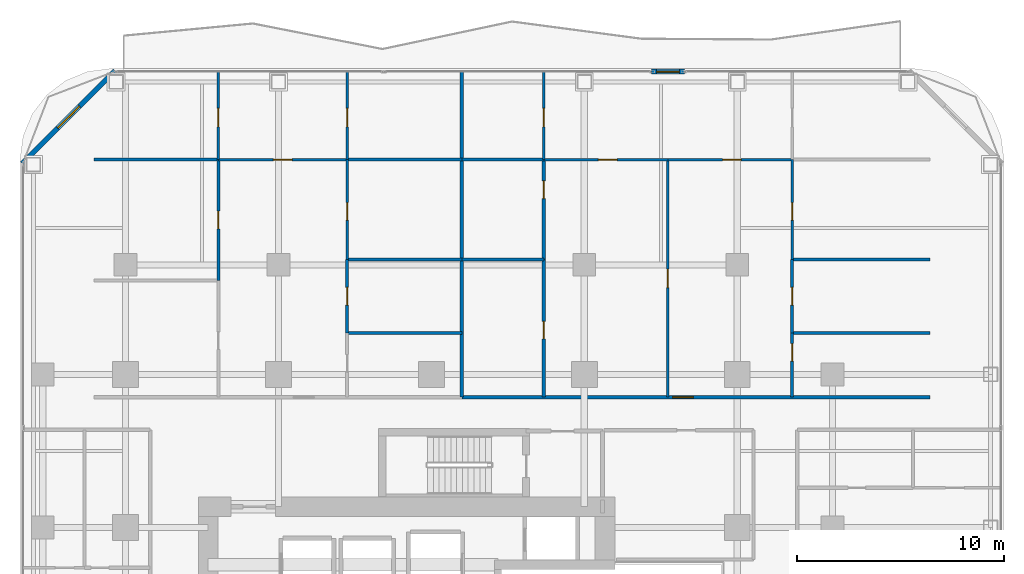
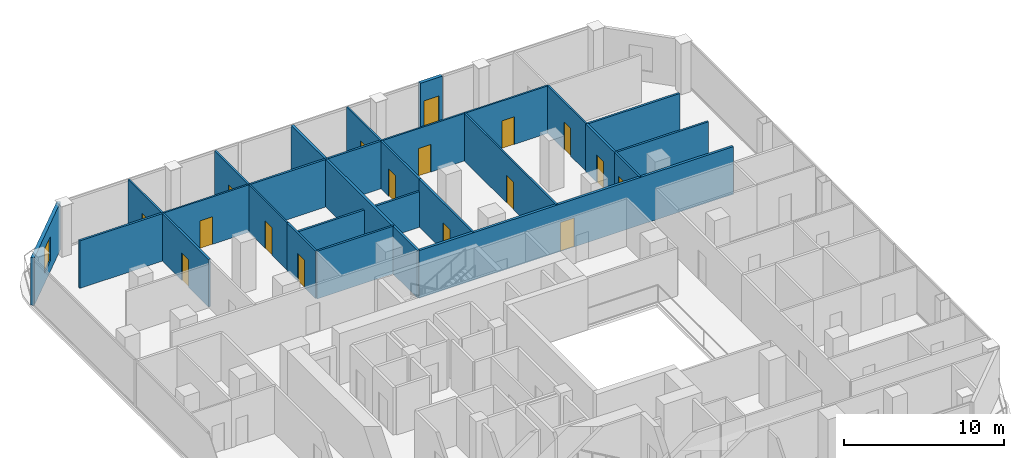
# One storey, part 23 of 27: 27 walls, 17 doors, 1 window, 18 openings.
"""IFC4 building model written with IfcOpenShell, lengths in metres."""

from ifc_helpers import new_model, si_unit, direction, frame, frame_2d, origin, place, context, subcontext, project, spatial, rectangle, extrude, material, layer, layer_set, type_object, element, fill, save


model = new_model("IFC4")

# Units and contexts
model_context = context("Model", 3, precision=1e-05, world=origin(), true_north=direction((0.0, 1.0)))
body_context = subcontext(model_context, "Body", "Model", "MODEL_VIEW")
ifc_project = project(units=[si_unit("LENGTHUNIT", "METRE"), si_unit("AREAUNIT", "SQUARE_METRE"), si_unit("VOLUMEUNIT", "CUBIC_METRE"), si_unit("PLANEANGLEUNIT", "RADIAN"), si_unit("MASSUNIT", "GRAM", prefix="KILO")], contexts=[model_context])

# Site, building, storey
site_placement = place(None, origin())
site = spatial("IfcSite", under=ifc_project, at=site_placement, CompositionType="ELEMENT")
building_placement = place(site_placement, origin())
building = spatial("IfcBuilding", under=site, at=building_placement, Name="Khorvyn Point Tower", CompositionType="ELEMENT")
storey_placement = place(building_placement, frame((0.0, 0.0, 132.89990234375)))
storey = spatial("IfcBuildingStorey", under=building, at=storey_placement, Name="L33", CompositionType="ELEMENT", Elevation=132.89990234375)

# Wall, opening, door
ifc_material_1 = material(Name="Double acoustic gypsum on twin steel stud", Category="steel")
ifc_layer_1 = layer(ifc_material_1, 0.179931640625)
ifc_layer_set_1 = layer_set([ifc_layer_1], Name="Acoustic Double-Stud Apartment Demising Wall 180")
wall_type_1 = type_object("IfcWallType", Name="Acoustic Double-Stud Apartment Demising Wall 180", PredefinedType="PARTITIONING", material=ifc_layer_set_1)
wall_1_placement = place(storey_placement, frame((1.47412109375, 13.699951171875, 0.0), z_axis=(0.0, 0.0, 1.0), x_axis=(1.0, 0.0, 0.0)))
wall_1 = element("IfcWall", 1, at=wall_1_placement, inside=storey, type_object=wall_type_1, Name="Wall", PredefinedType="PARTITIONING", context=body_context, shape_type="SweptSolid", body=[
    extrude(rectangle(XDim=22.64599609375, YDim=0.179931640625, at=frame_2d((11.322998046875, 0.0))), origin(), (0.0, 0.0, 1.0), 3.6201171875),
])
opening_1_placement = place(wall_1_placement, frame((10.19580078125, 0.0, 0.0)))
opening_1 = element("IfcOpeningElement", 2, at=opening_1_placement, cuts=wall_1, Name="Opening ID-AP60", PredefinedType="OPENING", context=body_context, shape_type="SweptSolid", body=[
    extrude(rectangle(XDim=1.0, YDim=2.199951171875, at=frame_2d((0.5, 1.10009765625))), frame((0.0, 0.099853515625, 0.0), z_axis=(0.0, -1.0, 0.0), x_axis=(1.0, 0.0, 0.0)), (0.0, 0.0, 1.0), 0.199951171875),
])
ifc_material_2 = material(Name="Engineered hardwood fire-rated leaf", Category="wood")
door_type_1 = type_object("IfcDoorType", Name="Acoustic Solid-Core Timber Apartment Entrance Door 1000x2200", OperationType="NOTDEFINED", PredefinedType="DOOR", material=ifc_material_2)
door_1_placement = place(opening_1_placement, origin())
door_1 = element("IfcDoor", 3, at=door_1_placement, inside=storey, type_object=door_type_1, Name="Door", OperationType="SINGLE_SWING_RIGHT", OverallHeight=2.199951171875, OverallWidth=1.0, PredefinedType="DOOR", context=body_context, shape_type="SweptSolid", body=[
    extrude(rectangle(XDim=1.0, YDim=2.199951171875, at=frame_2d((0.5, 1.10009765625))), frame((0.0, 0.02490234375, 0.0), z_axis=(0.0, -1.0, 0.0), x_axis=(1.0, 0.0, 0.0)), (0.0, 0.0, 1.0), 0.050048828125),
])
fill(opening_1, door_1)

# Wall
wall_2_placement = place(storey_placement, frame((1.47412109375, 13.699951171875, 0.0), z_axis=(0.0, 0.0, 1.0), x_axis=(0.0, 1.0, 0.0)))
element("IfcWall", 4, at=wall_2_placement, inside=storey, type_object=wall_type_1, Name="Wall", PredefinedType="PARTITIONING", context=body_context, shape_type="SweptSolid", body=[
    extrude(rectangle(XDim=15.72998046875, YDim=0.179931640625, at=frame_2d((7.864990234375, 0.0))), origin(), (0.0, 0.0, 1.0), 3.6201171875),
])

# Wall, opening, door
ifc_material_3 = material(Name="Pale anodised aluminium rainscreen on steel stud", Category="steel")
ifc_layer_2 = layer(ifc_material_3, 0.239990234375)
ifc_layer_set_2 = layer_set([ifc_layer_2], Name="Anodised Aluminium Insulated Corner Spandrel Wall 240")
wall_type_2 = type_object("IfcWallType", Name="Anodised Aluminium Insulated Corner Spandrel Wall 240", PredefinedType="SOLIDWALL", material=ifc_layer_set_2)
wall_3_placement = place(storey_placement, frame((10.654052734375, 29.449951171875, 0.0), z_axis=(0.0, 0.0, 1.0), x_axis=(1.0, 0.0, 0.0)))
wall_3 = element("IfcWall", 5, at=wall_3_placement, inside=storey, type_object=wall_type_2, Name="L33 North Outdoor Threshold Wall", PredefinedType="SOLIDWALL", context=body_context, shape_type="SweptSolid", body=[
    extrude(rectangle(XDim=1.579833984375, YDim=0.239990234375, at=frame_2d((0.7900390625, 0.0))), origin(), (0.0, 0.0, 1.0), 3.6201171875),
])
opening_2_placement = place(wall_3_placement, frame((0.239990234375, 0.0, 0.0)))
opening_2 = element("IfcOpeningElement", 6, at=opening_2_placement, cuts=wall_3, Name="Opening BD-1122", PredefinedType="OPENING", context=body_context, shape_type="SweptSolid", body=[
    extrude(rectangle(XDim=1.10009765625, YDim=2.199951171875, at=frame_2d((0.550048828125, 1.10009765625))), frame((0.0, 0.1298828125, 0.0), z_axis=(0.0, -1.0, 0.0), x_axis=(1.0, 0.0, 0.0)), (0.0, 0.0, 1.0), 0.260009765625),
])
ifc_material_4 = material(Name="Anodised aluminium 6063-T6 and laminated Low-E glass", Category="aluminium")
door_type_2 = type_object("IfcDoorType", Name="Glazed Balcony and Terrace Threshold Door 1100x2200", OperationType="NOTDEFINED", PredefinedType="DOOR", material=ifc_material_4)
door_2_placement = place(opening_2_placement, origin())
door_2 = element("IfcDoor", 7, at=door_2_placement, inside=storey, type_object=door_type_2, Name="L33 North Glazed Balcony Outdoor Door", OperationType="SINGLE_SWING_LEFT", OverallHeight=2.199951171875, OverallWidth=1.10009765625, PredefinedType="DOOR", context=body_context, shape_type="SweptSolid", body=[
    extrude(rectangle(XDim=1.10009765625, YDim=2.199951171875, at=frame_2d((0.550048828125, 1.10009765625))), frame((0.0, 0.02490234375, 0.0), z_axis=(0.0, -1.0, 0.0), x_axis=(1.0, 0.0, 0.0)), (0.0, 0.0, 1.0), 0.050048828125),
])
fill(opening_2, door_2)

# Wall, opening, window
wall_4_placement = place(storey_placement, frame((-19.79248046875, 25.007568359375, 0.0), z_axis=(0.0, 0.0, 1.0), x_axis=(0.707106781187, 0.707106781187, 0.0)))
wall_4 = element("IfcWall", 8, at=wall_4_placement, inside=storey, type_object=wall_type_2, Name="L33 Rounded Corner Wall NW", PredefinedType="SOLIDWALL", context=body_context, shape_type="SweptSolid", body=[
    extrude(rectangle(XDim=6.342529296875, YDim=0.239990234375, at=frame_2d((3.17138671875, 0.0))), origin(), (0.0, 0.0, 1.0), 3.6201171875),
])
opening_3_placement = place(wall_4_placement, frame((2.42138671875, 0.0, 0.800048828125)))
opening_3 = element("IfcOpeningElement", 9, at=opening_3_placement, cuts=wall_4, Name="Opening WN-1518", PredefinedType="OPENING", context=body_context, shape_type="SweptSolid", body=[
    extrude(rectangle(XDim=1.5, YDim=1.85009765625, at=frame_2d((0.75, 0.925048828125))), frame((0.0, 0.1298828125, 0.0), z_axis=(0.0, -1.0, 0.0), x_axis=(1.0, 0.0, 0.0)), (0.0, 0.0, 1.0), 0.260009765625),
])
window_type = type_object("IfcWindowType", Name="Anodised Aluminium Rounded-Corner Panoramic Window 1500x1850", PartitioningType="SINGLE_PANEL", PredefinedType="WINDOW", material=ifc_material_4)
window_placement = place(opening_3_placement, origin())
window = element("IfcWindow", 10, at=window_placement, inside=storey, type_object=window_type, Name="L33 Corner Panoramic Window NW", OverallHeight=1.85009765625, OverallWidth=1.5, PartitioningType="SINGLE_PANEL", PredefinedType="WINDOW", context=body_context, shape_type="SweptSolid", body=[
    extrude(rectangle(XDim=1.5, YDim=1.85009765625, at=frame_2d((0.75, 0.925048828125))), frame((0.0, 0.030029296875, 0.0), z_axis=(0.0, -1.0, 0.0), x_axis=(1.0, 0.0, 0.0)), (0.0, 0.0, 1.0), 0.06005859375),
])
fill(opening_3, window)

# Wall, opening, door
ifc_material_5 = material(Name="Gypsum plasterboard on steel stud", Category="steel")
ifc_layer_3 = layer(ifc_material_5, 0.1201171875)
ifc_layer_set_3 = layer_set([ifc_layer_3], Name="Gypsum Acoustic Stud Room Partition Wall 120")
wall_type_3 = type_object("IfcWallType", Name="Gypsum Acoustic Stud Room Partition Wall 120", PredefinedType="PARTITIONING", material=ifc_layer_set_3)
wall_5_placement = place(storey_placement, frame((-10.305908203125, 25.18994140625, 0.0), z_axis=(0.0, 0.0, 1.0), x_axis=(1.0, 0.0, 0.0)))
wall_5 = element("IfcWall", 11, at=wall_5_placement, inside=storey, type_object=wall_type_3, Name="Wall", PredefinedType="PARTITIONING", context=body_context, shape_type="SweptSolid", body=[
    extrude(rectangle(XDim=6.22802734375, YDim=0.1201171875, at=frame_2d((3.114013671875, 0.0))), origin(), (0.0, 0.0, 1.0), 3.6201171875),
])
opening_4_placement = place(wall_5_placement, frame((2.6640625, 0.0, 0.0)))
opening_4 = element("IfcOpeningElement", 12, at=opening_4_placement, cuts=wall_5, Name="Opening ID-RM90", PredefinedType="OPENING", context=body_context, shape_type="SweptSolid", body=[
    extrude(rectangle(XDim=0.89990234375, YDim=2.10009765625, at=frame_2d((0.449951171875, 1.050048828125))), frame((0.0, 0.070068359375, 0.0), z_axis=(0.0, -1.0, 0.0), x_axis=(1.0, 0.0, 0.0)), (0.0, 0.0, 1.0), 0.14013671875),
])
ifc_material_6 = material(Name="Engineered oak veneer timber", Category="wood")
door_type_3 = type_object("IfcDoorType", Name="Flush Engineered Timber Room Door 900x2100", OperationType="NOTDEFINED", PredefinedType="DOOR", material=ifc_material_6)
door_3_placement = place(opening_4_placement, origin())
door_3 = element("IfcDoor", 13, at=door_3_placement, inside=storey, type_object=door_type_3, Name="Door", OperationType="SINGLE_SWING_RIGHT", OverallHeight=2.10009765625, OverallWidth=0.89990234375, PredefinedType="DOOR", context=body_context, shape_type="SweptSolid", body=[
    extrude(rectangle(XDim=0.89990234375, YDim=2.10009765625, at=frame_2d((0.449951171875, 1.050048828125))), frame((0.0, 0.02490234375, 0.0), z_axis=(0.0, -1.0, 0.0), x_axis=(1.0, 0.0, 0.0)), (0.0, 0.0, 1.0), 0.050048828125),
])
fill(opening_4, door_3)

wall_6_placement = place(storey_placement, frame((-10.305908203125, 25.18994140625, 0.0), z_axis=(0.0, 0.0, 1.0), x_axis=(0.0, 1.0, 0.0)))
wall_6 = element("IfcWall", 14, at=wall_6_placement, inside=storey, type_object=wall_type_3, Name="Wall", PredefinedType="PARTITIONING", context=body_context, shape_type="SweptSolid", body=[
    extrude(rectangle(XDim=4.239990234375, YDim=0.1201171875, at=frame_2d((2.1201171875, 0.0))), origin(), (0.0, 0.0, 1.0), 3.6201171875),
])
opening_5_placement = place(wall_6_placement, frame((1.581298828125, 0.0, 0.0)))
opening_5 = element("IfcOpeningElement", 15, at=opening_5_placement, cuts=wall_6, Name="Opening ID-RM90", PredefinedType="OPENING", context=body_context, shape_type="SweptSolid", body=[
    extrude(rectangle(XDim=0.89990234375, YDim=2.10009765625, at=frame_2d((0.449951171875, 1.050048828125))), frame((0.0, 0.070068359375, 0.0), z_axis=(0.0, -1.0, 0.0), x_axis=(1.0, 0.0, 0.0)), (0.0, 0.0, 1.0), 0.14013671875),
])
door_4_placement = place(opening_5_placement, origin())
door_4 = element("IfcDoor", 16, at=door_4_placement, inside=storey, type_object=door_type_3, Name="Door", OperationType="SINGLE_SWING_LEFT", OverallHeight=2.10009765625, OverallWidth=0.89990234375, PredefinedType="DOOR", context=body_context, shape_type="SweptSolid", body=[
    extrude(rectangle(XDim=0.89990234375, YDim=2.10009765625, at=frame_2d((0.449951171875, 1.050048828125))), frame((0.0, 0.02490234375, 0.0), z_axis=(0.0, -1.0, 0.0), x_axis=(1.0, 0.0, 0.0)), (0.0, 0.0, 1.0), 0.050048828125),
])
fill(opening_5, door_4)

wall_7_placement = place(storey_placement, frame((-4.077880859375, 20.364013671875, 0.0), z_axis=(0.0, 0.0, 1.0), x_axis=(0.0, 1.0, 0.0)))
wall_7 = element("IfcWall", 17, at=wall_7_placement, inside=storey, type_object=wall_type_3, Name="Wall", PredefinedType="PARTITIONING", context=body_context, shape_type="SweptSolid", body=[
    extrude(rectangle(XDim=4.825927734375, YDim=0.1201171875, at=frame_2d((2.4130859375, 0.0))), origin(), (0.0, 0.0, 1.0), 3.6201171875),
])
opening_6_placement = place(wall_7_placement, frame((1.90087890625, 0.0, 0.0)))
opening_6 = element("IfcOpeningElement", 18, at=opening_6_placement, cuts=wall_7, Name="Opening ID-WC85", PredefinedType="OPENING", context=body_context, shape_type="SweptSolid", body=[
    extrude(rectangle(XDim=0.85009765625, YDim=2.10009765625, at=frame_2d((0.425048828125, 1.050048828125))), frame((0.0, 0.070068359375, 0.0), z_axis=(0.0, -1.0, 0.0), x_axis=(1.0, 0.0, 0.0)), (0.0, 0.0, 1.0), 0.14013671875),
])
ifc_material_7 = material(Name="High-pressure laminate on moisture-resistant core", Category="wood")
door_type_4 = type_object("IfcDoorType", Name="Moisture-Resistant Accessible Washroom Door 850x2100", OperationType="NOTDEFINED", PredefinedType="DOOR", material=ifc_material_7)
door_5_placement = place(opening_6_placement, origin())
door_5 = element("IfcDoor", 19, at=door_5_placement, inside=storey, type_object=door_type_4, Name="Door", OperationType="SINGLE_SWING_RIGHT", OverallHeight=2.10009765625, OverallWidth=0.85009765625, PredefinedType="DOOR", context=body_context, shape_type="SweptSolid", body=[
    extrude(rectangle(XDim=0.85009765625, YDim=2.10009765625, at=frame_2d((0.425048828125, 1.050048828125))), frame((0.0, 0.02490234375, 0.0), z_axis=(0.0, -1.0, 0.0), x_axis=(1.0, 0.0, 0.0)), (0.0, 0.0, 1.0), 0.050048828125),
])
fill(opening_6, door_5)

wall_8_placement = place(storey_placement, frame((-4.077880859375, 25.18994140625, 0.0), z_axis=(0.0, 0.0, 1.0), x_axis=(0.0, 1.0, 0.0)))
wall_8 = element("IfcWall", 20, at=wall_8_placement, inside=storey, type_object=wall_type_3, Name="Wall", PredefinedType="PARTITIONING", context=body_context, shape_type="SweptSolid", body=[
    extrude(rectangle(XDim=4.239990234375, YDim=0.1201171875, at=frame_2d((2.1201171875, 0.0))), origin(), (0.0, 0.0, 1.0), 3.6201171875),
])
opening_7_placement = place(wall_8_placement, frame((1.581298828125, 0.0, 0.0)))
opening_7 = element("IfcOpeningElement", 21, at=opening_7_placement, cuts=wall_8, Name="Opening ID-RM90", PredefinedType="OPENING", context=body_context, shape_type="SweptSolid", body=[
    extrude(rectangle(XDim=0.89990234375, YDim=2.10009765625, at=frame_2d((0.449951171875, 1.050048828125))), frame((0.0, 0.070068359375, 0.0), z_axis=(0.0, -1.0, 0.0), x_axis=(1.0, 0.0, 0.0)), (0.0, 0.0, 1.0), 0.14013671875),
])
door_6_placement = place(opening_7_placement, origin())
door_6 = element("IfcDoor", 22, at=door_6_placement, inside=storey, type_object=door_type_3, Name="Door", OperationType="SINGLE_SWING_LEFT", OverallHeight=2.10009765625, OverallWidth=0.89990234375, PredefinedType="DOOR", context=body_context, shape_type="SweptSolid", body=[
    extrude(rectangle(XDim=0.89990234375, YDim=2.10009765625, at=frame_2d((0.449951171875, 1.050048828125))), frame((0.0, 0.02490234375, 0.0), z_axis=(0.0, -1.0, 0.0), x_axis=(1.0, 0.0, 0.0)), (0.0, 0.0, 1.0), 0.050048828125),
])
fill(opening_7, door_6)

wall_9_placement = place(storey_placement, frame((5.43798828125, 25.18994140625, 0.0), z_axis=(0.0, 0.0, 1.0), x_axis=(1.0, 0.0, 0.0)))
wall_9 = element("IfcWall", 23, at=wall_9_placement, inside=storey, type_object=wall_type_3, Name="Wall", PredefinedType="PARTITIONING", context=body_context, shape_type="SweptSolid", body=[
    extrude(rectangle(XDim=6.006103515625, YDim=0.1201171875, at=frame_2d((3.0029296875, 0.0))), origin(), (0.0, 0.0, 1.0), 3.6201171875),
])
opening_8_placement = place(wall_9_placement, frame((2.6416015625, 0.0, 0.0)))
opening_8 = element("IfcOpeningElement", 24, at=opening_8_placement, cuts=wall_9, Name="Opening ID-RM90", PredefinedType="OPENING", context=body_context, shape_type="SweptSolid", body=[
    extrude(rectangle(XDim=0.89990234375, YDim=2.10009765625, at=frame_2d((0.449951171875, 1.050048828125))), frame((0.0, 0.070068359375, 0.0), z_axis=(0.0, -1.0, 0.0), x_axis=(1.0, 0.0, 0.0)), (0.0, 0.0, 1.0), 0.14013671875),
])
door_7_placement = place(opening_8_placement, origin())
door_7 = element("IfcDoor", 25, at=door_7_placement, inside=storey, type_object=door_type_3, Name="Door", OperationType="SINGLE_SWING_LEFT", OverallHeight=2.10009765625, OverallWidth=0.89990234375, PredefinedType="DOOR", context=body_context, shape_type="SweptSolid", body=[
    extrude(rectangle(XDim=0.89990234375, YDim=2.10009765625, at=frame_2d((0.449951171875, 1.050048828125))), frame((0.0, 0.02490234375, 0.0), z_axis=(0.0, -1.0, 0.0), x_axis=(1.0, 0.0, 0.0)), (0.0, 0.0, 1.0), 0.050048828125),
])
fill(opening_8, door_7)

wall_10_placement = place(storey_placement, frame((11.444091796875, 25.18994140625, 0.0), z_axis=(0.0, 0.0, 1.0), x_axis=(1.0, 0.0, 0.0)))
wall_10 = element("IfcWall", 26, at=wall_10_placement, inside=storey, type_object=wall_type_3, Name="Wall", PredefinedType="PARTITIONING", context=body_context, shape_type="SweptSolid", body=[
    extrude(rectangle(XDim=6.005859375, YDim=0.1201171875, at=frame_2d((3.0029296875, 0.0))), origin(), (0.0, 0.0, 1.0), 3.6201171875),
])
opening_9_placement = place(wall_10_placement, frame((2.6416015625, 0.0, 0.0)))
opening_9 = element("IfcOpeningElement", 27, at=opening_9_placement, cuts=wall_10, Name="Opening ID-RM90", PredefinedType="OPENING", context=body_context, shape_type="SweptSolid", body=[
    extrude(rectangle(XDim=0.89990234375, YDim=2.10009765625, at=frame_2d((0.449951171875, 1.050048828125))), frame((0.0, 0.070068359375, 0.0), z_axis=(0.0, -1.0, 0.0), x_axis=(1.0, 0.0, 0.0)), (0.0, 0.0, 1.0), 0.14013671875),
])
door_8_placement = place(opening_9_placement, origin())
door_8 = element("IfcDoor", 28, at=door_8_placement, inside=storey, type_object=door_type_3, Name="Door", OperationType="SINGLE_SWING_RIGHT", OverallHeight=2.10009765625, OverallWidth=0.89990234375, PredefinedType="DOOR", context=body_context, shape_type="SweptSolid", body=[
    extrude(rectangle(XDim=0.89990234375, YDim=2.10009765625, at=frame_2d((0.449951171875, 1.050048828125))), frame((0.0, 0.02490234375, 0.0), z_axis=(0.0, -1.0, 0.0), x_axis=(1.0, 0.0, 0.0)), (0.0, 0.0, 1.0), 0.050048828125),
])
fill(opening_9, door_8)

wall_11_placement = place(storey_placement, frame((11.444091796875, 13.699951171875, 0.0), z_axis=(0.0, 0.0, 1.0), x_axis=(0.0, 1.0, 0.0)))
wall_11 = element("IfcWall", 29, at=wall_11_placement, inside=storey, type_object=wall_type_3, Name="Wall", PredefinedType="PARTITIONING", context=body_context, shape_type="SweptSolid", body=[
    extrude(rectangle(XDim=11.489990234375, YDim=0.1201171875, at=frame_2d((5.7451171875, 0.0))), origin(), (0.0, 0.0, 1.0), 3.6201171875),
])
opening_10_placement = place(wall_11_placement, frame((5.294921875, 0.0, 0.0)))
opening_10 = element("IfcOpeningElement", 30, at=opening_10_placement, cuts=wall_11, Name="Opening ID-RM90", PredefinedType="OPENING", context=body_context, shape_type="SweptSolid", body=[
    extrude(rectangle(XDim=0.89990234375, YDim=2.10009765625, at=frame_2d((0.449951171875, 1.050048828125))), frame((0.0, 0.070068359375, 0.0), z_axis=(0.0, -1.0, 0.0), x_axis=(1.0, 0.0, 0.0)), (0.0, 0.0, 1.0), 0.14013671875),
])
door_9_placement = place(opening_10_placement, origin())
door_9 = element("IfcDoor", 31, at=door_9_placement, inside=storey, type_object=door_type_3, Name="Door", OperationType="SINGLE_SWING_LEFT", OverallHeight=2.10009765625, OverallWidth=0.89990234375, PredefinedType="DOOR", context=body_context, shape_type="SweptSolid", body=[
    extrude(rectangle(XDim=0.89990234375, YDim=2.10009765625, at=frame_2d((0.449951171875, 1.050048828125))), frame((0.0, 0.02490234375, 0.0), z_axis=(0.0, -1.0, 0.0), x_axis=(1.0, 0.0, 0.0)), (0.0, 0.0, 1.0), 0.050048828125),
])
fill(opening_10, door_9)

wall_12_placement = place(storey_placement, frame((5.43798828125, 25.18994140625, 0.0), z_axis=(0.0, 0.0, 1.0), x_axis=(0.0, 1.0, 0.0)))
wall_12 = element("IfcWall", 32, at=wall_12_placement, inside=storey, type_object=wall_type_3, Name="Wall", PredefinedType="PARTITIONING", context=body_context, shape_type="SweptSolid", body=[
    extrude(rectangle(XDim=4.239990234375, YDim=0.1201171875, at=frame_2d((2.1201171875, 0.0))), origin(), (0.0, 0.0, 1.0), 3.6201171875),
])
opening_11_placement = place(wall_12_placement, frame((1.581298828125, 0.0, 0.0)))
opening_11 = element("IfcOpeningElement", 33, at=opening_11_placement, cuts=wall_12, Name="Opening ID-RM90", PredefinedType="OPENING", context=body_context, shape_type="SweptSolid", body=[
    extrude(rectangle(XDim=0.89990234375, YDim=2.10009765625, at=frame_2d((0.449951171875, 1.050048828125))), frame((0.0, 0.070068359375, 0.0), z_axis=(0.0, -1.0, 0.0), x_axis=(1.0, 0.0, 0.0)), (0.0, 0.0, 1.0), 0.14013671875),
])
door_10_placement = place(opening_11_placement, origin())
door_10 = element("IfcDoor", 34, at=door_10_placement, inside=storey, type_object=door_type_3, Name="Door", OperationType="SINGLE_SWING_RIGHT", OverallHeight=2.10009765625, OverallWidth=0.89990234375, PredefinedType="DOOR", context=body_context, shape_type="SweptSolid", body=[
    extrude(rectangle(XDim=0.89990234375, YDim=2.10009765625, at=frame_2d((0.449951171875, 1.050048828125))), frame((0.0, 0.02490234375, 0.0), z_axis=(0.0, -1.0, 0.0), x_axis=(1.0, 0.0, 0.0)), (0.0, 0.0, 1.0), 0.050048828125),
])
fill(opening_11, door_10)

wall_13_placement = place(storey_placement, frame((17.449951171875, 20.364013671875, 0.0), z_axis=(0.0, 0.0, 1.0), x_axis=(0.0, 1.0, 0.0)))
wall_13 = element("IfcWall", 35, at=wall_13_placement, inside=storey, type_object=wall_type_3, Name="Wall", PredefinedType="PARTITIONING", context=body_context, shape_type="SweptSolid", body=[
    extrude(rectangle(XDim=4.825927734375, YDim=0.1201171875, at=frame_2d((2.4130859375, 0.0))), origin(), (0.0, 0.0, 1.0), 3.6201171875),
])
opening_12_placement = place(wall_13_placement, frame((1.90087890625, 0.0, 0.0)))
opening_12 = element("IfcOpeningElement", 36, at=opening_12_placement, cuts=wall_13, Name="Opening ID-WC85", PredefinedType="OPENING", context=body_context, shape_type="SweptSolid", body=[
    extrude(rectangle(XDim=0.85009765625, YDim=2.10009765625, at=frame_2d((0.425048828125, 1.050048828125))), frame((0.0, 0.070068359375, 0.0), z_axis=(0.0, -1.0, 0.0), x_axis=(1.0, 0.0, 0.0)), (0.0, 0.0, 1.0), 0.14013671875),
])
door_11_placement = place(opening_12_placement, origin())
door_11 = element("IfcDoor", 37, at=door_11_placement, inside=storey, type_object=door_type_4, Name="Door", OperationType="SINGLE_SWING_LEFT", OverallHeight=2.10009765625, OverallWidth=0.85009765625, PredefinedType="DOOR", context=body_context, shape_type="SweptSolid", body=[
    extrude(rectangle(XDim=0.85009765625, YDim=2.10009765625, at=frame_2d((0.425048828125, 1.050048828125))), frame((0.0, 0.02490234375, 0.0), z_axis=(0.0, -1.0, 0.0), x_axis=(1.0, 0.0, 0.0)), (0.0, 0.0, 1.0), 0.050048828125),
])
fill(opening_12, door_11)

ifc_material_8 = material(Name="Moisture-resistant gypsum and cement board", Category="gypsum")
ifc_layer_4 = layer(ifc_material_8, 0.14990234375)
ifc_layer_set_4 = layer_set([ifc_layer_4], Name="Moisture-Resistant Wet-Room Partition Wall 150")
wall_type_4 = type_object("IfcWallType", Name="Moisture-Resistant Wet-Room Partition Wall 150", PredefinedType="PARTITIONING", material=ifc_layer_set_4)
wall_14_placement = place(storey_placement, frame((-10.305908203125, 19.35302734375, 0.0), z_axis=(0.0, 0.0, 1.0), x_axis=(0.0, 1.0, 0.0)))
wall_14 = element("IfcWall", 38, at=wall_14_placement, inside=storey, type_object=wall_type_4, Name="Wall", PredefinedType="PARTITIONING", context=body_context, shape_type="SweptSolid", body=[
    extrude(rectangle(XDim=5.8369140625, YDim=0.14990234375, at=frame_2d((2.91845703125, 0.0))), origin(), (0.0, 0.0, 1.0), 3.6201171875),
])
opening_13_placement = place(wall_14_placement, frame((2.493408203125, 0.0, 0.0)))
opening_13 = element("IfcOpeningElement", 39, at=opening_13_placement, cuts=wall_14, Name="Opening ID-WC85", PredefinedType="OPENING", context=body_context, shape_type="SweptSolid", body=[
    extrude(rectangle(XDim=0.85009765625, YDim=2.10009765625, at=frame_2d((0.425048828125, 1.050048828125))), frame((0.0, 0.0849609375, 0.0), z_axis=(0.0, -1.0, 0.0), x_axis=(1.0, 0.0, 0.0)), (0.0, 0.0, 1.0), 0.169921875),
])
door_12_placement = place(opening_13_placement, origin())
door_12 = element("IfcDoor", 40, at=door_12_placement, inside=storey, type_object=door_type_4, Name="Door", OperationType="SINGLE_SWING_RIGHT", OverallHeight=2.10009765625, OverallWidth=0.85009765625, PredefinedType="DOOR", context=body_context, shape_type="SweptSolid", body=[
    extrude(rectangle(XDim=0.85009765625, YDim=2.10009765625, at=frame_2d((0.425048828125, 1.050048828125))), frame((0.0, 0.02490234375, 0.0), z_axis=(0.0, -1.0, 0.0), x_axis=(1.0, 0.0, 0.0)), (0.0, 0.0, 1.0), 0.050048828125),
])
fill(opening_13, door_12)

wall_15_placement = place(storey_placement, frame((-4.077880859375, 16.802001953125, 0.0), z_axis=(0.0, 0.0, 1.0), x_axis=(0.0, 1.0, 0.0)))
wall_15 = element("IfcWall", 41, at=wall_15_placement, inside=storey, type_object=wall_type_4, Name="Wall", PredefinedType="PARTITIONING", context=body_context, shape_type="SweptSolid", body=[
    extrude(rectangle(XDim=3.56201171875, YDim=0.14990234375, at=frame_2d((1.781005859375, 0.0))), origin(), (0.0, 0.0, 1.0), 3.6201171875),
])
opening_14_placement = place(wall_15_placement, frame((1.35595703125, 0.0, 0.0)))
opening_14 = element("IfcOpeningElement", 42, at=opening_14_placement, cuts=wall_15, Name="Opening ID-WC85", PredefinedType="OPENING", context=body_context, shape_type="SweptSolid", body=[
    extrude(rectangle(XDim=0.85009765625, YDim=2.10009765625, at=frame_2d((0.425048828125, 1.050048828125))), frame((0.0, 0.0849609375, 0.0), z_axis=(0.0, -1.0, 0.0), x_axis=(1.0, 0.0, 0.0)), (0.0, 0.0, 1.0), 0.169921875),
])
door_13_placement = place(opening_14_placement, origin())
door_13 = element("IfcDoor", 43, at=door_13_placement, inside=storey, type_object=door_type_4, Name="Door", OperationType="SINGLE_SWING_LEFT", OverallHeight=2.10009765625, OverallWidth=0.85009765625, PredefinedType="DOOR", context=body_context, shape_type="SweptSolid", body=[
    extrude(rectangle(XDim=0.85009765625, YDim=2.10009765625, at=frame_2d((0.425048828125, 1.050048828125))), frame((0.0, 0.02490234375, 0.0), z_axis=(0.0, -1.0, 0.0), x_axis=(1.0, 0.0, 0.0)), (0.0, 0.0, 1.0), 0.050048828125),
])
fill(opening_14, door_13)

wall_16_placement = place(storey_placement, frame((5.43798828125, 13.699951171875, 0.0), z_axis=(0.0, 0.0, 1.0), x_axis=(0.0, 1.0, 0.0)))
wall_16 = element("IfcWall", 44, at=wall_16_placement, inside=storey, type_object=wall_type_4, Name="Wall", PredefinedType="PARTITIONING", context=body_context, shape_type="SweptSolid", body=[
    extrude(rectangle(XDim=6.6640625, YDim=0.14990234375, at=frame_2d((3.33203125, 0.0))), origin(), (0.0, 0.0, 1.0), 3.6201171875),
])
opening_15_placement = place(wall_16_placement, frame((2.818359375, 0.0, 0.0)))
opening_15 = element("IfcOpeningElement", 45, at=opening_15_placement, cuts=wall_16, Name="Opening ID-WC85", PredefinedType="OPENING", context=body_context, shape_type="SweptSolid", body=[
    extrude(rectangle(XDim=0.85009765625, YDim=2.10009765625, at=frame_2d((0.425048828125, 1.050048828125))), frame((0.0, 0.0849609375, 0.0), z_axis=(0.0, -1.0, 0.0), x_axis=(1.0, 0.0, 0.0)), (0.0, 0.0, 1.0), 0.169921875),
])
door_14_placement = place(opening_15_placement, origin())
door_14 = element("IfcDoor", 46, at=door_14_placement, inside=storey, type_object=door_type_4, Name="Door", OperationType="SINGLE_SWING_RIGHT", OverallHeight=2.10009765625, OverallWidth=0.85009765625, PredefinedType="DOOR", context=body_context, shape_type="SweptSolid", body=[
    extrude(rectangle(XDim=0.85009765625, YDim=2.10009765625, at=frame_2d((0.425048828125, 1.050048828125))), frame((0.0, 0.02490234375, 0.0), z_axis=(0.0, -1.0, 0.0), x_axis=(1.0, 0.0, 0.0)), (0.0, 0.0, 1.0), 0.050048828125),
])
fill(opening_15, door_14)

wall_17_placement = place(storey_placement, frame((5.43798828125, 20.364013671875, 0.0), z_axis=(0.0, 0.0, 1.0), x_axis=(0.0, 1.0, 0.0)))
wall_17 = element("IfcWall", 47, at=wall_17_placement, inside=storey, type_object=wall_type_4, Name="Wall", PredefinedType="PARTITIONING", context=body_context, shape_type="SweptSolid", body=[
    extrude(rectangle(XDim=4.825927734375, YDim=0.14990234375, at=frame_2d((2.4130859375, 0.0))), origin(), (0.0, 0.0, 1.0), 3.6201171875),
])
opening_16_placement = place(wall_17_placement, frame((2.945556640625, 0.0, 0.0)))
opening_16 = element("IfcOpeningElement", 48, at=opening_16_placement, cuts=wall_17, Name="Opening ID-WC85", PredefinedType="OPENING", context=body_context, shape_type="SweptSolid", body=[
    extrude(rectangle(XDim=0.85009765625, YDim=2.10009765625, at=frame_2d((0.425048828125, 1.050048828125))), frame((0.0, 0.0849609375, 0.0), z_axis=(0.0, -1.0, 0.0), x_axis=(1.0, 0.0, 0.0)), (0.0, 0.0, 1.0), 0.169921875),
])
door_15_placement = place(opening_16_placement, origin())
door_15 = element("IfcDoor", 49, at=door_15_placement, inside=storey, type_object=door_type_4, Name="Door", OperationType="SINGLE_SWING_LEFT", OverallHeight=2.10009765625, OverallWidth=0.85009765625, PredefinedType="DOOR", context=body_context, shape_type="SweptSolid", body=[
    extrude(rectangle(XDim=0.85009765625, YDim=2.10009765625, at=frame_2d((0.425048828125, 1.050048828125))), frame((0.0, 0.02490234375, 0.0), z_axis=(0.0, -1.0, 0.0), x_axis=(1.0, 0.0, 0.0)), (0.0, 0.0, 1.0), 0.050048828125),
])
fill(opening_16, door_15)

wall_18_placement = place(storey_placement, frame((17.449951171875, 13.699951171875, 0.0), z_axis=(0.0, 0.0, 1.0), x_axis=(0.0, 1.0, 0.0)))
wall_18 = element("IfcWall", 50, at=wall_18_placement, inside=storey, type_object=wall_type_4, Name="Wall", PredefinedType="PARTITIONING", context=body_context, shape_type="SweptSolid", body=[
    extrude(rectangle(XDim=3.10205078125, YDim=0.14990234375, at=frame_2d((1.551025390625, 0.0))), origin(), (0.0, 0.0, 1.0), 3.6201171875),
])
opening_17_placement = place(wall_18_placement, frame((1.74072265625, 0.0, 0.0)))
opening_17 = element("IfcOpeningElement", 51, at=opening_17_placement, cuts=wall_18, Name="Opening ID-WC85", PredefinedType="OPENING", context=body_context, shape_type="SweptSolid", body=[
    extrude(rectangle(XDim=0.85009765625, YDim=2.10009765625, at=frame_2d((0.425048828125, 1.050048828125))), frame((0.0, 0.0849609375, 0.0), z_axis=(0.0, -1.0, 0.0), x_axis=(1.0, 0.0, 0.0)), (0.0, 0.0, 1.0), 0.169921875),
])
door_16_placement = place(opening_17_placement, origin())
door_16 = element("IfcDoor", 52, at=door_16_placement, inside=storey, type_object=door_type_4, Name="Door", OperationType="SINGLE_SWING_LEFT", OverallHeight=2.10009765625, OverallWidth=0.85009765625, PredefinedType="DOOR", context=body_context, shape_type="SweptSolid", body=[
    extrude(rectangle(XDim=0.85009765625, YDim=2.10009765625, at=frame_2d((0.425048828125, 1.050048828125))), frame((0.0, 0.02490234375, 0.0), z_axis=(0.0, -1.0, 0.0), x_axis=(1.0, 0.0, 0.0)), (0.0, 0.0, 1.0), 0.050048828125),
])
fill(opening_17, door_16)

wall_19_placement = place(storey_placement, frame((17.449951171875, 16.802001953125, 0.0), z_axis=(0.0, 0.0, 1.0), x_axis=(0.0, 1.0, 0.0)))
wall_19 = element("IfcWall", 53, at=wall_19_placement, inside=storey, type_object=wall_type_4, Name="Wall", PredefinedType="PARTITIONING", context=body_context, shape_type="SweptSolid", body=[
    extrude(rectangle(XDim=3.56201171875, YDim=0.14990234375, at=frame_2d((1.781005859375, 0.0))), origin(), (0.0, 0.0, 1.0), 3.6201171875),
])
opening_18_placement = place(wall_19_placement, frame((1.35595703125, 0.0, 0.0)))
opening_18 = element("IfcOpeningElement", 54, at=opening_18_placement, cuts=wall_19, Name="Opening ID-WC85", PredefinedType="OPENING", context=body_context, shape_type="SweptSolid", body=[
    extrude(rectangle(XDim=0.85009765625, YDim=2.10009765625, at=frame_2d((0.425048828125, 1.050048828125))), frame((0.0, 0.0849609375, 0.0), z_axis=(0.0, -1.0, 0.0), x_axis=(1.0, 0.0, 0.0)), (0.0, 0.0, 1.0), 0.169921875),
])
door_17_placement = place(opening_18_placement, origin())
door_17 = element("IfcDoor", 55, at=door_17_placement, inside=storey, type_object=door_type_4, Name="Door", OperationType="SINGLE_SWING_RIGHT", OverallHeight=2.10009765625, OverallWidth=0.85009765625, PredefinedType="DOOR", context=body_context, shape_type="SweptSolid", body=[
    extrude(rectangle(XDim=0.85009765625, YDim=2.10009765625, at=frame_2d((0.425048828125, 1.050048828125))), frame((0.0, 0.02490234375, 0.0), z_axis=(0.0, -1.0, 0.0), x_axis=(1.0, 0.0, 0.0)), (0.0, 0.0, 1.0), 0.050048828125),
])
fill(opening_18, door_17)

# Walls
wall_20_placement = place(storey_placement, frame((-16.320068359375, 25.18994140625, 0.0), z_axis=(0.0, 0.0, 1.0), x_axis=(1.0, 0.0, 0.0)))
element("IfcWall", 56, at=wall_20_placement, inside=storey, type_object=wall_type_4, Name="Wall", PredefinedType="PARTITIONING", context=body_context, shape_type="SweptSolid", body=[
    extrude(rectangle(XDim=6.01416015625, YDim=0.14990234375, at=frame_2d((3.007080078125, 0.0))), origin(), (0.0, 0.0, 1.0), 3.6201171875),
])
wall_21_placement = place(storey_placement, frame((-4.077880859375, 16.802001953125, 0.0), z_axis=(0.0, 0.0, 1.0), x_axis=(1.0, 0.0, 0.0)))
element("IfcWall", 57, at=wall_21_placement, inside=storey, type_object=wall_type_4, Name="Wall", PredefinedType="PARTITIONING", context=body_context, shape_type="SweptSolid", body=[
    extrude(rectangle(XDim=5.552001953125, YDim=0.14990234375, at=frame_2d((2.77587890625, 0.0))), origin(), (0.0, 0.0, 1.0), 3.6201171875),
])
wall_22_placement = place(storey_placement, frame((-4.077880859375, 20.364013671875, 0.0), z_axis=(0.0, 0.0, 1.0), x_axis=(1.0, 0.0, 0.0)))
element("IfcWall", 58, at=wall_22_placement, inside=storey, type_object=wall_type_4, Name="Wall", PredefinedType="PARTITIONING", context=body_context, shape_type="SweptSolid", body=[
    extrude(rectangle(XDim=5.552001953125, YDim=0.14990234375, at=frame_2d((2.77587890625, 0.0))), origin(), (0.0, 0.0, 1.0), 2.710205078125),
])
wall_23_placement = place(storey_placement, frame((-4.077880859375, 25.18994140625, 0.0), z_axis=(0.0, 0.0, 1.0), x_axis=(1.0, 0.0, 0.0)))
element("IfcWall", 59, at=wall_23_placement, inside=storey, type_object=wall_type_4, Name="Wall", PredefinedType="PARTITIONING", context=body_context, shape_type="SweptSolid", body=[
    extrude(rectangle(XDim=5.552001953125, YDim=0.14990234375, at=frame_2d((2.77587890625, 0.0))), origin(), (0.0, 0.0, 1.0), 3.6201171875),
])
wall_24_placement = place(storey_placement, frame((1.47412109375, 20.364013671875, 0.0), z_axis=(0.0, 0.0, 1.0), x_axis=(1.0, 0.0, 0.0)))
element("IfcWall", 60, at=wall_24_placement, inside=storey, type_object=wall_type_4, Name="Wall", PredefinedType="PARTITIONING", context=body_context, shape_type="SweptSolid", body=[
    extrude(rectangle(XDim=3.9638671875, YDim=0.14990234375, at=frame_2d((1.98193359375, 0.0))), origin(), (0.0, 0.0, 1.0), 2.710205078125),
])
wall_25_placement = place(storey_placement, frame((1.47412109375, 25.18994140625, 0.0), z_axis=(0.0, 0.0, 1.0), x_axis=(1.0, 0.0, 0.0)))
element("IfcWall", 61, at=wall_25_placement, inside=storey, type_object=wall_type_4, Name="Wall", PredefinedType="PARTITIONING", context=body_context, shape_type="SweptSolid", body=[
    extrude(rectangle(XDim=3.9638671875, YDim=0.14990234375, at=frame_2d((1.98193359375, 0.0))), origin(), (0.0, 0.0, 1.0), 3.6201171875),
])
for number, where, z_axis, x_axis, name in (
    (62, (17.449951171875, 16.802001953125, 0.0), (0.0, 0.0, 1.0), (1.0, 0.0, 0.0), "Wall"),
    (63, (17.449951171875, 20.364013671875, 0.0), (0.0, 0.0, 1.0), (1.0, 0.0, 0.0), "Wall"),
):
    element("IfcWall", number, at=place(storey_placement, frame(where, z_axis=z_axis, x_axis=x_axis)), inside=storey, type_object=wall_type_4, Name=name, PredefinedType="PARTITIONING", context=body_context, shape_type="SweptSolid", body=[
        extrude(rectangle(XDim=6.670166015625, YDim=0.14990234375, at=frame_2d((3.3349609375, 0.0))), origin(), (0.0, 0.0, 1.0), 3.6201171875),
    ])

save(model, "model.ifc")
